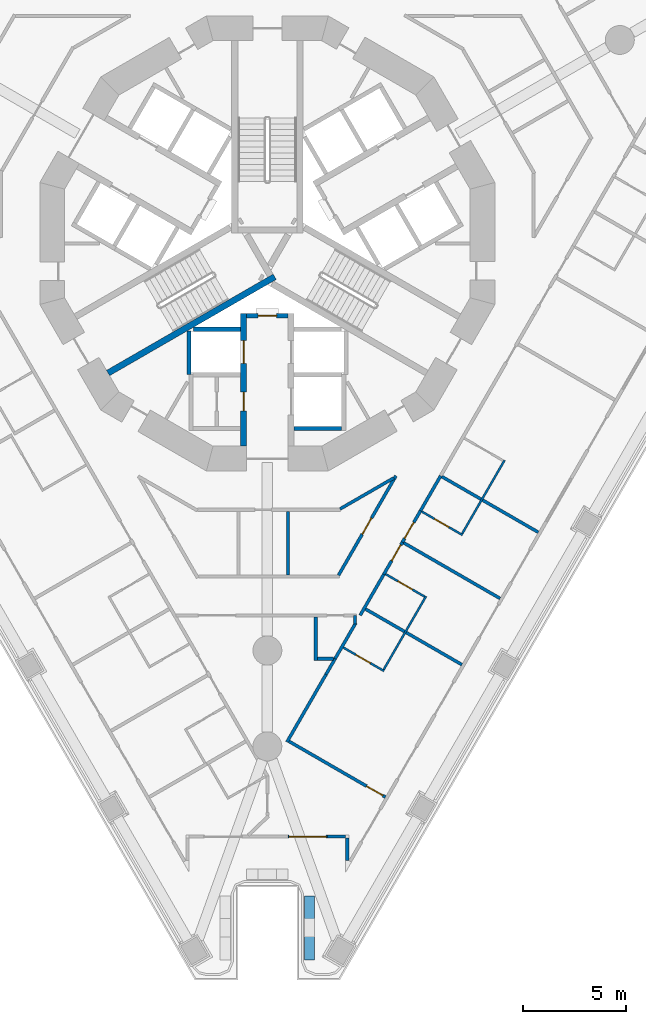
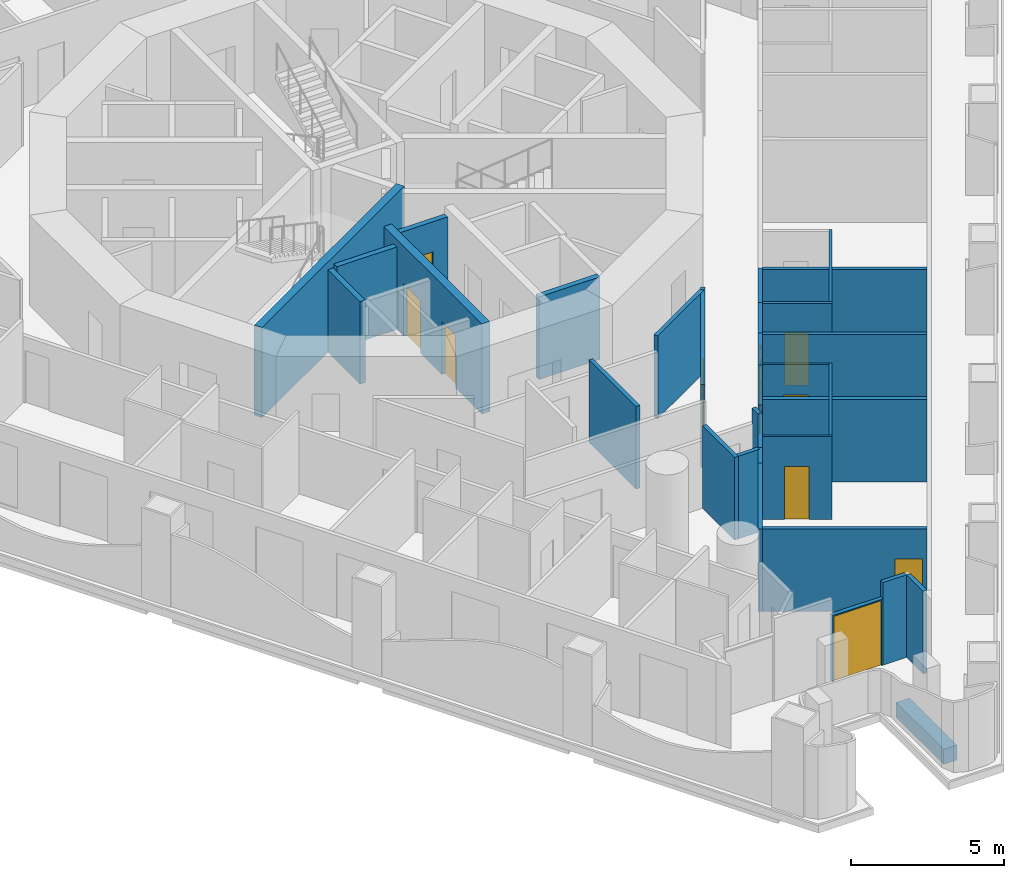
# One storey, part 4 of 20: 32 walls, 11 doors, 11 openings.
"""IFC4 building model written with IfcOpenShell, lengths in metres."""

from ifc_helpers import new_model, si_unit, direction, frame, frame_2d, origin, place, context, subcontext, project, spatial, polyline, rectangle, outline, extrude, material, layer, layer_set, type_object, element, fill, save


model = new_model("IFC4")

# Units and contexts
model_context = context("Model", 3, precision=1e-05, world=origin(), true_north=direction((0.0, 1.0)))
body_context = subcontext(model_context, "Body", "Model", "MODEL_VIEW")
ifc_project = project(units=[si_unit("LENGTHUNIT", "METRE"), si_unit("AREAUNIT", "SQUARE_METRE"), si_unit("VOLUMEUNIT", "CUBIC_METRE"), si_unit("PLANEANGLEUNIT", "RADIAN"), si_unit("MASSUNIT", "GRAM", prefix="KILO")], contexts=[model_context])

# Site, building, storey
site_placement = place(None, origin())
site = spatial("IfcSite", under=ifc_project, at=site_placement, CompositionType="ELEMENT")
building_placement = place(site_placement, origin())
building = spatial("IfcBuilding", under=site, at=building_placement, Name="Trine Commons Tower", CompositionType="ELEMENT")
storey_placement = place(building_placement, frame((0.0, 0.0, 35.10009765625)))
storey = spatial("IfcBuildingStorey", under=building, at=storey_placement, Name="L07", CompositionType="ELEMENT", Elevation=35.10009765625)

# Walls
ifc_material_1 = material(Name="Aluminium-framed insulated wall panel", Category="aluminium")
ifc_layer_1 = layer(ifc_material_1, 0.14990234375)
ifc_layer_set_1 = layer_set([ifc_layer_1], Name="Aluminium-framed insulated wall panel")
wall_type_1 = type_object("IfcWallType", Name="Glazed frame wall 150, EI 60", PredefinedType="SOLIDWALL", material=ifc_layer_set_1)
wall_1_placement = place(storey_placement, frame((83.864990234375, 32.48583984375, 0.0), z_axis=(0.0, 0.0, 1.0), x_axis=(0.0, 1.0, 0.0)))
element("IfcWall", 1, at=wall_1_placement, inside=storey, type_object=wall_type_1, Name="Glazed frame wall R9", PredefinedType="SOLIDWALL", context=body_context, shape_type="SweptSolid", body=[
    extrude(outline(polyline([(0.1494140625, 0.074951171875), (0.1494140625, -0.074951171875), (1.235107421875, -0.074951171875), (1.235107421875, 0.074951171875), (0.1494140625, 0.074951171875)])), origin(), (0.0, 0.0, 1.0), 3.2998046875),
])
wall_2_placement = place(storey_placement, frame((83.89990234375, 33.7958984375, 0.0), z_axis=(0.0, 0.0, 1.0), x_axis=(-1.0, 0.0, 0.0)))
element("IfcWall", 2, at=wall_2_placement, inside=storey, type_object=wall_type_1, Name="Glazed frame wall P3.1", PredefinedType="SOLIDWALL", context=body_context, shape_type="SweptSolid", body=[
    extrude(outline(polyline([(0.110107421875, -0.074951171875), (1.0, -0.074951171875), (1.0, 0.074951171875), (0.110107421875, 0.074951171875), (0.110107421875, -0.074951171875)])), origin(), (0.0, 0.0, 1.0), 3.2998046875),
])

# Wall, opening, door
wall_3_placement = place(storey_placement, frame((82.89990234375, 33.7958984375, 0.0), z_axis=(0.0, 0.0, 1.0), x_axis=(-1.0, 0.0, 0.0)))
wall_3 = element("IfcWall", 3, at=wall_3_placement, inside=storey, type_object=wall_type_1, Name="Glazed frame wall P3.2", PredefinedType="SOLIDWALL", context=body_context, shape_type="SweptSolid", body=[
    extrude(outline(polyline([(0.0, -0.074951171875), (1.89990234375, -0.074951171875), (1.89990234375, 0.074951171875), (0.0, 0.074951171875), (0.0, -0.074951171875)])), origin(), (0.0, 0.0, 1.0), 2.64990234375),
])
opening_1_placement = place(wall_3_placement, frame((0.050048828125, 0.0, 0.0)))
opening_1 = element("IfcOpeningElement", 4, at=opening_1_placement, cuts=wall_3, Name="Opening BD-1P3-01", PredefinedType="OPENING", context=body_context, shape_type="SweptSolid", body=[
    extrude(rectangle(XDim=1.800048828125, YDim=2.60009765625, at=frame_2d((0.89990234375, 1.300048828125))), frame((0.0, 0.0849609375, 0.0), z_axis=(0.0, -1.0, 0.0), x_axis=(1.0, 0.0, 0.0)), (0.0, 0.0, 1.0), 0.169921875),
])
ifc_material_2 = material(Name="Anodised aluminium frame with double glazing", Category="aluminium")
door_type_1 = type_object("IfcDoorType", Name="Sliding loggia door 1800x2600", OperationType="SLIDING_TO_LEFT", PredefinedType="DOOR", material=ifc_material_2)
door_1_placement = place(opening_1_placement, origin())
door_1 = element("IfcDoor", 5, at=door_1_placement, inside=storey, type_object=door_type_1, Name="Loggia door P3 1", OperationType="SLIDING_TO_LEFT", OverallHeight=2.60009765625, OverallWidth=1.800048828125, PredefinedType="DOOR", context=body_context, shape_type="SweptSolid", body=[
    extrude(rectangle(XDim=1.800048828125, YDim=2.60009765625, at=frame_2d((0.89990234375, 1.300048828125))), frame((0.0, 0.02490234375, 0.0), z_axis=(0.0, -1.0, 0.0), x_axis=(1.0, 0.0, 0.0)), (0.0, 0.0, 1.0), 0.050048828125),
])
fill(opening_1, door_1)

ifc_material_3 = material(Name="Fire-rated gypsum shaft wall system")
ifc_layer_2 = layer(ifc_material_3, 0.199951171875)
ifc_layer_set_2 = layer_set([ifc_layer_2], Name="Fire-rated gypsum shaft wall system")
wall_type_2 = type_object("IfcWallType", Name="Lobby end wall 200 mm, EI 120", PredefinedType="PARTITIONING", material=ifc_layer_set_2)
wall_4_placement = place(storey_placement, frame((79.0, 59.0, 0.0), z_axis=(0.0, 0.0, 1.0), x_axis=(1.0, 0.0, 0.0)))
wall_4 = element("IfcWall", 6, at=wall_4_placement, inside=storey, type_object=wall_type_2, Name="Lobby end wall L07", PredefinedType="PARTITIONING", context=body_context, shape_type="SweptSolid", body=[
    extrude(rectangle(XDim=2.0, YDim=0.199951171875, at=frame_2d((1.0, 0.0))), origin(), (0.0, 0.0, 1.0), 3.2998046875),
])
opening_2_placement = place(wall_4_placement, frame((0.550048828125, 0.0, 0.0)))
opening_2 = element("IfcOpeningElement", 7, at=opening_2_placement, cuts=wall_4, Name="Opening K06.09", PredefinedType="OPENING", context=body_context, shape_type="SweptSolid", body=[
    extrude(rectangle(XDim=0.89990234375, YDim=2.10009765625, at=frame_2d((0.449951171875, 1.050048828125))), frame((0.0, 0.10986328125, 0.0), z_axis=(0.0, -1.0, 0.0), x_axis=(1.0, 0.0, 0.0)), (0.0, 0.0, 1.0), 0.219970703125),
])
ifc_material_4 = material(Name="Steel door leaf, fire-rated", Category="steel")
door_type_2 = type_object("IfcDoorType", Name="Riser access door, single leaf 900 x 2100, FD60", OperationType="SINGLE_SWING_LEFT", PredefinedType="DOOR", material=ifc_material_4)
door_2_placement = place(opening_2_placement, frame((0.89990234375, 0.0, 0.0), z_axis=(0.0, 0.0, 1.0), x_axis=(-1.0, 0.0, 0.0)))
door_2 = element("IfcDoor", 8, at=door_2_placement, inside=storey, type_object=door_type_2, Name="Riser door, Communications riser L07", OperationType="SINGLE_SWING_RIGHT", OverallHeight=2.10009765625, OverallWidth=0.89990234375, PredefinedType="DOOR", context=body_context, shape_type="SweptSolid", body=[
    extrude(rectangle(XDim=0.89990234375, YDim=2.10009765625, at=frame_2d((0.449951171875, 1.050048828125))), frame((0.0, 0.02490234375, 0.0), z_axis=(0.0, -1.0, 0.0), x_axis=(1.0, 0.0, 0.0)), (0.0, 0.0, 1.0), 0.050048828125),
])
fill(opening_2, door_2)

# Wall
ifc_material_5 = material(Name="Planter trough, precast concrete C40/50", Category="concrete")
ifc_layer_3 = layer(ifc_material_5, 0.5)
ifc_layer_set_3 = layer_set([ifc_layer_3], Name="Planter trough, precast concrete C40/50")
wall_type_3 = type_object("IfcWallType", Name="Planter trough 500x600", PredefinedType="PARAPET", material=ifc_layer_set_3)
wall_5_placement = place(storey_placement, frame((82.0400390625, 27.830810546875, 0.0), z_axis=(0.0, 0.0, 1.0), x_axis=(0.0, 1.0, 0.0)))
element("IfcWall", 9, at=wall_5_placement, inside=storey, type_object=wall_type_3, Name="Planter 7", PredefinedType="PARAPET", context=body_context, shape_type="SweptSolid", body=[
    extrude(rectangle(XDim=3.10009765625, YDim=0.5, at=frame_2d((1.550048828125, 0.0))), origin(), (0.0, 0.0, 1.0), 0.599853515625),
])

# Wall, openings, doors
ifc_material_6 = material(Name="Concrete C80/95", Category="concrete")
ifc_layer_4 = layer(ifc_material_6, 0.300048828125)
ifc_layer_set_4 = layer_set([ifc_layer_4], Name="Concrete C80/95")
wall_type_4 = type_object("IfcWallType", Name="RC shear wall 300 mm, C80/95", PredefinedType="SHEAR", material=ifc_layer_set_4)
wall_6_placement = place(storey_placement, frame((78.85009765625, 59.10009765625, 0.0), z_axis=(0.0, 0.0, 1.0), x_axis=(0.0, -1.0, 0.0)))
wall_6 = element("IfcWall", 10, at=wall_6_placement, inside=storey, type_object=wall_type_4, Name="Core cross wall SWA-03 L07", PredefinedType="SHEAR", context=body_context, shape_type="SweptSolid", body=[
    extrude(rectangle(XDim=6.412109375, YDim=0.300048828125, at=frame_2d((3.2060546875, 0.0))), origin(), (0.0, 0.0, 1.0), 3.599853515625),
])
opening_3_placement = place(wall_6_placement, frame((3.800048828125, 0.0, 0.0)))
opening_3 = element("IfcOpeningElement", 11, at=opening_3_placement, cuts=wall_6, Name="Opening K06.10", PredefinedType="OPENING", context=body_context, shape_type="SweptSolid", body=[
    extrude(rectangle(XDim=0.89990234375, YDim=2.10009765625, at=frame_2d((0.449951171875, 1.050048828125))), frame((0.0, 0.159912109375, 0.0), z_axis=(0.0, -1.0, 0.0), x_axis=(1.0, 0.0, 0.0)), (0.0, 0.0, 1.0), 0.320068359375),
])
opening_4_placement = place(wall_6_placement, frame((1.300048828125, 0.0, 0.0)))
opening_4 = element("IfcOpeningElement", 12, at=opening_4_placement, cuts=wall_6, Name="Opening LD10", PredefinedType="OPENING", context=body_context, shape_type="SweptSolid", body=[
    extrude(rectangle(XDim=1.10009765625, YDim=2.10009765625, at=frame_2d((0.550048828125, 1.050048828125))), frame((0.0, 0.159912109375, 0.0), z_axis=(0.0, -1.0, 0.0), x_axis=(1.0, 0.0, 0.0)), (0.0, 0.0, 1.0), 0.320068359375),
])
door_type_3 = type_object("IfcDoorType", Name="Core room door, single leaf 900 x 2100, FD30S", OperationType="SINGLE_SWING_LEFT", PredefinedType="DOOR", material=ifc_material_4)
door_3_placement = place(opening_3_placement, frame((0.89990234375, 0.0, 0.0), z_axis=(0.0, 0.0, 1.0), x_axis=(-1.0, 0.0, 0.0)))
door_3 = element("IfcDoor", 13, at=door_3_placement, inside=storey, type_object=door_type_3, Name="Door to Pantry L07", OperationType="SINGLE_SWING_RIGHT", OverallHeight=2.10009765625, OverallWidth=0.89990234375, PredefinedType="DOOR", context=body_context, shape_type="SweptSolid", body=[
    extrude(rectangle(XDim=0.89990234375, YDim=2.10009765625, at=frame_2d((0.449951171875, 1.050048828125))), frame((0.0, 0.02490234375, 0.0), z_axis=(0.0, -1.0, 0.0), x_axis=(1.0, 0.0, 0.0)), (0.0, 0.0, 1.0), 0.050048828125),
])
fill(opening_3, door_3)
ifc_material_7 = material(Name="Stainless steel sliding door leaves", Category="steel")
door_type_4 = type_object("IfcDoorType", Name="Lift landing door, centre-opening sliding 1100 x 2100, FD90", OperationType="DOUBLE_DOOR_SLIDING", PredefinedType="DOOR", material=ifc_material_7)
door_4_placement = place(opening_4_placement, origin())
door_4 = element("IfcDoor", 14, at=door_4_placement, inside=storey, type_object=door_type_4, Name="Lift landing door FF2 L07", OperationType="DOUBLE_DOOR_SLIDING", OverallHeight=2.10009765625, OverallWidth=1.10009765625, PredefinedType="DOOR", context=body_context, shape_type="SweptSolid", body=[
    extrude(rectangle(XDim=1.10009765625, YDim=2.10009765625, at=frame_2d((0.550048828125, 1.050048828125))), frame((0.0, 0.02490234375, 0.0), z_axis=(0.0, -1.0, 0.0), x_axis=(1.0, 0.0, 0.0)), (0.0, 0.0, 1.0), 0.050048828125),
])
fill(opening_4, door_4)

# Walls
wall_7_placement = place(storey_placement, frame((80.35400390625, 60.885986328125, 0.0), z_axis=(0.0, 0.0, 1.0), x_axis=(-0.865986456211, -0.50006745311, 0.0)))
element("IfcWall", 15, at=wall_7_placement, inside=storey, type_object=wall_type_4, Name="Core cross wall SWA-14 L07", PredefinedType="SHEAR", context=body_context, shape_type="SweptSolid", body=[
    extrude(rectangle(XDim=9.310791015625, YDim=0.300048828125, at=frame_2d((4.6552734375, 0.0))), origin(), (0.0, 0.0, 1.0), 3.599853515625),
])
ifc_layer_5 = layer(ifc_material_3, 0.199951171875)
ifc_layer_set_5 = layer_set([ifc_layer_5], Name="Fire-rated gypsum shaft wall system")
wall_type_5 = type_object("IfcWallType", Name="Shaft wall 200 mm, EI 120", PredefinedType="PARTITIONING", material=ifc_layer_set_5)
wall_8_placement = place(storey_placement, frame((76.199951171875, 58.256103515625, 0.0), z_axis=(0.0, 0.0, 1.0), x_axis=(0.0, -1.0, 0.0)))
element("IfcWall", 16, at=wall_8_placement, inside=storey, type_object=wall_type_5, Name="Shaft wall L07", PredefinedType="PARTITIONING", context=body_context, shape_type="SweptSolid", body=[
    extrude(rectangle(XDim=2.106201171875, YDim=0.199951171875, at=frame_2d((1.05322265625, 0.0))), origin(), (0.0, 0.0, 1.0), 3.2998046875),
])
wall_9_placement = place(storey_placement, frame((78.699951171875, 58.35009765625, 0.0), z_axis=(0.0, 0.0, 1.0), x_axis=(-1.0, 0.0, 0.0)))
element("IfcWall", 17, at=wall_9_placement, inside=storey, type_object=wall_type_5, Name="Shaft wall L07", PredefinedType="PARTITIONING", context=body_context, shape_type="SweptSolid", body=[
    extrude(rectangle(XDim=2.264892578125, YDim=0.199951171875, at=frame_2d((1.13232421875, 0.0))), origin(), (0.0, 0.0, 1.0), 3.2998046875),
])
wall_10_placement = place(storey_placement, frame((81.300048828125, 53.550048828125, 0.0), z_axis=(0.0, 0.0, 1.0), x_axis=(1.0, 0.0, 0.0)))
element("IfcWall", 18, at=wall_10_placement, inside=storey, type_object=wall_type_5, Name="Shaft wall L07", PredefinedType="PARTITIONING", context=body_context, shape_type="SweptSolid", body=[
    extrude(rectangle(XDim=2.300048828125, YDim=0.199951171875, at=frame_2d((1.14990234375, 0.0))), origin(), (0.0, 0.0, 1.0), 3.2998046875),
])
ifc_material_8 = material(Name="Gypsum plasterboard on steel stud", Category="steel")
ifc_layer_6 = layer(ifc_material_8, 0.14990234375)
ifc_layer_set_6 = layer_set([ifc_layer_6], Name="Gypsum plasterboard on steel stud")
wall_type_6 = type_object("IfcWallType", Name="Unit and corridor wall 150 mm, EI 60", PredefinedType="PARTITIONING", material=ifc_layer_set_6)
wall_11_placement = place(storey_placement, frame((80.950439453125, 38.3740234375, 0.0), z_axis=(0.0, 0.0, 1.0), x_axis=(0.500125622755, 0.865952863304, 0.0)))
element("IfcWall", 19, at=wall_11_placement, inside=storey, type_object=wall_type_6, Name="Partition 070", PredefinedType="PARTITIONING", context=body_context, shape_type="SweptSolid", body=[
    extrude(rectangle(XDim=3.77392578125, YDim=0.14990234375, at=frame_2d((1.886962890625, 0.0))), origin(), (0.0, 0.0, 1.0), 3.2998046875),
])

# Wall, opening, door
wall_12_placement = place(storey_placement, frame((81.052978515625, 38.401611328125, 0.0), z_axis=(0.0, 0.0, 1.0), x_axis=(0.866038326347, -0.499977616797, 0.0)))
wall_12 = element("IfcWall", 20, at=wall_12_placement, inside=storey, type_object=wall_type_6, Name="Partition 071", PredefinedType="PARTITIONING", context=body_context, shape_type="SweptSolid", body=[
    extrude(rectangle(XDim=5.383544921875, YDim=0.14990234375, at=frame_2d((2.69189453125, 0.0))), origin(), (0.0, 0.0, 1.0), 3.2998046875),
])
opening_5_placement = place(wall_12_placement, frame((4.33349609375, 0.0, 0.0)))
opening_5 = element("IfcOpeningElement", 21, at=opening_5_placement, cuts=wall_12, Name="Opening D-1A23", PredefinedType="OPENING", context=body_context, shape_type="SweptSolid", body=[
    extrude(rectangle(XDim=0.89990234375, YDim=2.10009765625, at=frame_2d((0.449951171875, 1.050048828125))), frame((0.0, 0.0849609375, 0.0), z_axis=(0.0, -1.0, 0.0), x_axis=(1.0, 0.0, 0.0)), (0.0, 0.0, 1.0), 0.169921875),
])
ifc_material_9 = material(Name="Timber fire door set", Category="wood")
door_type_5 = type_object("IfcDoorType", Name="Bedroom door 900 x 2100, FD30S", OperationType="NOTDEFINED", PredefinedType="DOOR", material=ifc_material_9)
door_5_placement = place(opening_5_placement, origin())
door_5 = element("IfcDoor", 22, at=door_5_placement, inside=storey, type_object=door_type_5, Name="Door D-1A23", OperationType="SINGLE_SWING_RIGHT", OverallHeight=2.10009765625, OverallWidth=0.89990234375, PredefinedType="DOOR", context=body_context, shape_type="SweptSolid", body=[
    extrude(rectangle(XDim=0.89990234375, YDim=2.10009765625, at=frame_2d((0.449951171875, 1.050048828125))), frame((0.0, 0.02490234375, 0.0), z_axis=(0.0, -1.0, 0.0), x_axis=(1.0, 0.0, 0.0)), (0.0, 0.0, 1.0), 0.050048828125),
])
fill(opening_5, door_5)

# Walls
wall_13_placement = place(storey_placement, frame((81.0, 46.452880859375, 0.0), z_axis=(0.0, 0.0, 1.0), x_axis=(0.0, 1.0, 0.0)))
element("IfcWall", 23, at=wall_13_placement, inside=storey, type_object=wall_type_6, Name="Partition 072", PredefinedType="PARTITIONING", context=body_context, shape_type="SweptSolid", body=[
    extrude(rectangle(XDim=3.085205078125, YDim=0.14990234375, at=frame_2d((1.54248046875, 0.0))), origin(), (0.0, 0.0, 1.0), 3.2998046875),
])
wall_14_placement = place(storey_placement, frame((82.340087890625, 42.327880859375, 0.0), z_axis=(0.0, 0.0, 1.0), x_axis=(0.0, 1.0, 0.0)))
element("IfcWall", 24, at=wall_14_placement, inside=storey, type_object=wall_type_6, Name="Partition 075", PredefinedType="PARTITIONING", context=body_context, shape_type="SweptSolid", body=[
    extrude(rectangle(XDim=2.10009765625, YDim=0.14990234375, at=frame_2d((1.050048828125, 0.0))), origin(), (0.0, 0.0, 1.0), 3.2998046875),
])
wall_15_placement = place(storey_placement, frame((82.4150390625, 42.403076171875, 0.0), z_axis=(0.0, 0.0, 1.0), x_axis=(1.0, 0.0, 0.0)))
element("IfcWall", 25, at=wall_15_placement, inside=storey, type_object=wall_type_6, Name="Partition 076", PredefinedType="PARTITIONING", context=body_context, shape_type="SweptSolid", body=[
    extrude(rectangle(XDim=0.786865234375, YDim=0.14990234375, at=frame_2d((0.3935546875, 0.0))), origin(), (0.0, 0.0, 1.0), 3.2998046875),
])
wall_16_placement = place(storey_placement, frame((82.837890625, 41.64208984375, 0.0), z_axis=(0.0, 0.0, 1.0), x_axis=(0.499874792173, 0.86609768049, 0.0)))
element("IfcWall", 26, at=wall_16_placement, inside=storey, type_object=wall_type_6, Name="Partition 077", PredefinedType="PARTITIONING", context=body_context, shape_type="SweptSolid", body=[
    extrude(rectangle(XDim=0.878662109375, YDim=0.14990234375, at=frame_2d((0.439453125, 0.0))), origin(), (0.0, 0.0, 1.0), 3.2998046875),
])
wall_17_placement = place(storey_placement, frame((83.277099609375, 42.403076171875, 0.0), z_axis=(0.0, 0.0, 1.0), x_axis=(0.500208453646, 0.865905019561, 0.0)))
element("IfcWall", 27, at=wall_17_placement, inside=storey, type_object=wall_type_6, Name="Partition 078", PredefinedType="PARTITIONING", context=body_context, shape_type="SweptSolid", body=[
    extrude(rectangle(XDim=2.000244140625, YDim=0.14990234375, at=frame_2d((1.0, 0.0))), origin(), (0.0, 0.0, 1.0), 3.2998046875),
])

# Wall, opening, door
wall_18_placement = place(storey_placement, frame((83.444580078125, 46.443115234375, 0.0), z_axis=(0.0, 0.0, 1.0), x_axis=(0.500003847982, 0.86602318214, 0.0)))
wall_18 = element("IfcWall", 28, at=wall_18_placement, inside=storey, type_object=wall_type_6, Name="Partition 079", PredefinedType="PARTITIONING", context=body_context, shape_type="SweptSolid", body=[
    extrude(rectangle(XDim=5.5576171875, YDim=0.14990234375, at=frame_2d((2.77880859375, 0.0))), origin(), (0.0, 0.0, 1.0), 3.2998046875),
])
opening_6_placement = place(wall_18_placement, frame((2.29150390625, 0.0, 0.0)))
opening_6 = element("IfcOpeningElement", 29, at=opening_6_placement, cuts=wall_18, Name="Opening D-1A35", PredefinedType="OPENING", context=body_context, shape_type="SweptSolid", body=[
    extrude(rectangle(XDim=0.89990234375, YDim=2.10009765625, at=frame_2d((0.449951171875, 1.050048828125))), frame((0.0, 0.0849609375, 0.0), z_axis=(0.0, -1.0, 0.0), x_axis=(1.0, 0.0, 0.0)), (0.0, 0.0, 1.0), 0.169921875),
])
door_type_6 = type_object("IfcDoorType", Name="Service door 900 x 2100, FD30S", OperationType="NOTDEFINED", PredefinedType="DOOR", material=ifc_material_9)
door_6_placement = place(opening_6_placement, origin())
door_6 = element("IfcDoor", 30, at=door_6_placement, inside=storey, type_object=door_type_6, Name="Door D-1A35", OperationType="SINGLE_SWING_LEFT", OverallHeight=2.10009765625, OverallWidth=0.89990234375, PredefinedType="DOOR", context=body_context, shape_type="SweptSolid", body=[
    extrude(rectangle(XDim=0.89990234375, YDim=2.10009765625, at=frame_2d((0.449951171875, 1.050048828125))), frame((0.0, 0.02490234375, 0.0), z_axis=(0.0, -1.0, 0.0), x_axis=(1.0, 0.0, 0.0)), (0.0, 0.0, 1.0), 0.050048828125),
])
fill(opening_6, door_6)

# Walls
wall_19_placement = place(storey_placement, frame((83.517822265625, 49.650390625, 0.0), z_axis=(0.0, 0.0, 1.0), x_axis=(0.865962665808, 0.500108649621, 0.0)))
element("IfcWall", 31, at=wall_19_placement, inside=storey, type_object=wall_type_6, Name="Partition 080", PredefinedType="PARTITIONING", context=body_context, shape_type="SweptSolid", body=[
    extrude(rectangle(XDim=3.009521484375, YDim=0.14990234375, at=frame_2d((1.5048828125, 0.0))), origin(), (0.0, 0.0, 1.0), 3.2998046875),
])
wall_20_placement = place(storey_placement, frame((84.239990234375, 44.08642578125, 0.0), z_axis=(0.0, 0.0, 1.0), x_axis=(0.0, 1.0, 0.0)))
element("IfcWall", 32, at=wall_20_placement, inside=storey, type_object=wall_type_6, Name="Partition 083", PredefinedType="PARTITIONING", context=body_context, shape_type="SweptSolid", body=[
    extrude(rectangle(XDim=0.400146484375, YDim=0.14990234375, at=frame_2d((0.2001953125, 0.0))), origin(), (0.0, 0.0, 1.0), 3.2998046875),
])
wall_21_placement = place(storey_placement, frame((84.489990234375, 44.5029296875, 0.0), z_axis=(0.0, 0.0, 1.0), x_axis=(0.499884423167, 0.866092121818, 0.0)))
element("IfcWall", 33, at=wall_21_placement, inside=storey, type_object=wall_type_6, Name="Partition 084", PredefinedType="PARTITIONING", context=body_context, shape_type="SweptSolid", body=[
    extrude(rectangle(XDim=2.3486328125, YDim=0.14990234375, at=frame_2d((1.17431640625, 0.0))), origin(), (0.0, 0.0, 1.0), 3.2998046875),
])
wall_22_placement = place(storey_placement, frame((84.751953125, 44.8076171875, 0.0), z_axis=(0.0, 0.0, 1.0), x_axis=(0.866038326347, -0.499977616797, 0.0)))
element("IfcWall", 34, at=wall_22_placement, inside=storey, type_object=wall_type_6, Name="Partition 085", PredefinedType="PARTITIONING", context=body_context, shape_type="SweptSolid", body=[
    extrude(rectangle(XDim=5.383544921875, YDim=0.14990234375, at=frame_2d((2.69189453125, 0.0))), origin(), (0.0, 0.0, 1.0), 3.2998046875),
])

# Wall, opening, door
wall_23_placement = place(storey_placement, frame((85.635986328125, 46.48779296875, 0.0), z_axis=(0.0, 0.0, 1.0), x_axis=(0.4999359155, 0.866062399826, 0.0)))
wall_23 = element("IfcWall", 35, at=wall_23_placement, inside=storey, type_object=wall_type_6, Name="Partition 088", PredefinedType="PARTITIONING", context=body_context, shape_type="SweptSolid", body=[
    extrude(rectangle(XDim=1.881103515625, YDim=0.14990234375, at=frame_2d((0.9404296875, 0.0))), origin(), (0.0, 0.0, 1.0), 3.2998046875),
])
opening_7_placement = place(wall_23_placement, frame((0.752685546875, 0.0, 0.0)))
opening_7 = element("IfcOpeningElement", 36, at=opening_7_placement, cuts=wall_23, Name="Opening D-1A22", PredefinedType="OPENING", context=body_context, shape_type="SweptSolid", body=[
    extrude(rectangle(XDim=0.89990234375, YDim=2.10009765625, at=frame_2d((0.449951171875, 1.050048828125))), frame((0.0, 0.0849609375, 0.0), z_axis=(0.0, -1.0, 0.0), x_axis=(1.0, 0.0, 0.0)), (0.0, 0.0, 1.0), 0.169921875),
])
door_7_placement = place(opening_7_placement, frame((0.89990234375, 0.0, 0.0), z_axis=(0.0, 0.0, 1.0), x_axis=(-1.0, 0.0, 0.0)))
door_7 = element("IfcDoor", 37, at=door_7_placement, inside=storey, type_object=door_type_5, Name="Door D-1A22", OperationType="SINGLE_SWING_LEFT", OverallHeight=2.10009765625, OverallWidth=0.89990234375, PredefinedType="DOOR", context=body_context, shape_type="SweptSolid", body=[
    extrude(rectangle(XDim=0.89990234375, YDim=2.10009765625, at=frame_2d((0.449951171875, 1.050048828125))), frame((0.0, 0.02490234375, 0.0), z_axis=(0.0, -1.0, 0.0), x_axis=(1.0, 0.0, 0.0)), (0.0, 0.0, 1.0), 0.050048828125),
])
fill(opening_7, door_7)

wall_24_placement = place(storey_placement, frame((86.534912109375, 48.0458984375, 0.0), z_axis=(0.0, 0.0, 1.0), x_axis=(0.500252110048, 0.865879799044, 0.0)))
wall_24 = element("IfcWall", 38, at=wall_24_placement, inside=storey, type_object=wall_type_6, Name="Partition 090", PredefinedType="PARTITIONING", context=body_context, shape_type="SweptSolid", body=[
    extrude(rectangle(XDim=1.75537109375, YDim=0.14990234375, at=frame_2d((0.877685546875, 0.0))), origin(), (0.0, 0.0, 1.0), 3.2998046875),
])
opening_8_placement = place(wall_24_placement, frame((0.20849609375, 0.0, 0.0)))
opening_8 = element("IfcOpeningElement", 39, at=opening_8_placement, cuts=wall_24, Name="Opening D-1A21", PredefinedType="OPENING", context=body_context, shape_type="SweptSolid", body=[
    extrude(rectangle(XDim=0.89990234375, YDim=2.10009765625, at=frame_2d((0.449951171875, 1.050048828125))), frame((0.0, 0.0849609375, 0.0), z_axis=(0.0, -1.0, 0.0), x_axis=(1.0, 0.0, 0.0)), (0.0, 0.0, 1.0), 0.169921875),
])
door_8_placement = place(opening_8_placement, frame((0.89990234375, 0.0, 0.0), z_axis=(0.0, 0.0, 1.0), x_axis=(-1.0, 0.0, 0.0)))
door_8 = element("IfcDoor", 40, at=door_8_placement, inside=storey, type_object=door_type_5, Name="Door D-1A21", OperationType="SINGLE_SWING_RIGHT", OverallHeight=2.10009765625, OverallWidth=0.89990234375, PredefinedType="DOOR", context=body_context, shape_type="SweptSolid", body=[
    extrude(rectangle(XDim=0.89990234375, YDim=2.10009765625, at=frame_2d((0.449951171875, 1.050048828125))), frame((0.0, 0.02490234375, 0.0), z_axis=(0.0, -1.0, 0.0), x_axis=(1.0, 0.0, 0.0)), (0.0, 0.0, 1.0), 0.050048828125),
])
fill(opening_8, door_8)

# Walls
wall_25_placement = place(storey_placement, frame((86.60205078125, 48.011474609375, 0.0), z_axis=(0.0, 0.0, 1.0), x_axis=(0.866012611495, -0.500022156241, 0.0)))
element("IfcWall", 41, at=wall_25_placement, inside=storey, type_object=wall_type_6, Name="Partition 091", PredefinedType="PARTITIONING", context=body_context, shape_type="SweptSolid", body=[
    extrude(rectangle(XDim=5.382568359375, YDim=0.14990234375, at=frame_2d((2.69140625, 0.0))), origin(), (0.0, 0.0, 1.0), 3.2998046875),
])
wall_26_placement = place(storey_placement, frame((87.385009765625, 49.5166015625, 0.0), z_axis=(0.0, 0.0, 1.0), x_axis=(0.499750537383, 0.866169383196, 0.0)))
element("IfcWall", 42, at=wall_26_placement, inside=storey, type_object=wall_type_6, Name="Partition 094", PredefinedType="PARTITIONING", context=body_context, shape_type="SweptSolid", body=[
    extrude(rectangle(XDim=2.0068359375, YDim=0.14990234375, at=frame_2d((1.00341796875, 0.0))), origin(), (0.0, 0.0, 1.0), 3.2998046875),
])
wall_27_placement = place(storey_placement, frame((88.450927734375, 51.214599609375, 0.0), z_axis=(0.0, 0.0, 1.0), x_axis=(0.865992970276, -0.500056172277, 0.0)))
element("IfcWall", 43, at=wall_27_placement, inside=storey, type_object=wall_type_6, Name="Partition 097", PredefinedType="PARTITIONING", context=body_context, shape_type="SweptSolid", body=[
    extrude(rectangle(XDim=5.3828125, YDim=0.14990234375, at=frame_2d((2.69140625, 0.0))), origin(), (0.0, 0.0, 1.0), 3.2998046875),
])

# Wall, opening, door
ifc_layer_7 = layer(ifc_material_8, 0.10009765625)
ifc_layer_set_7 = layer_set([ifc_layer_7], Name="Gypsum plasterboard on steel stud")
wall_type_7 = type_object("IfcWallType", Name="Unit partition 100 mm, no rating", PredefinedType="PARTITIONING", material=ifc_layer_set_7)
wall_28_placement = place(storey_placement, frame((83.677001953125, 42.945556640625, 0.0), z_axis=(0.0, 0.0, 1.0), x_axis=(0.866035472144, -0.499982560684, 0.0)))
wall_28 = element("IfcWall", 44, at=wall_28_placement, inside=storey, type_object=wall_type_7, Name="Partition 081", PredefinedType="PARTITIONING", context=body_context, shape_type="SweptSolid", body=[
    extrude(rectangle(XDim=2.27490234375, YDim=0.10009765625, at=frame_2d((1.137451171875, 0.0))), origin(), (0.0, 0.0, 1.0), 3.2998046875),
])
opening_9_placement = place(wall_28_placement, frame((0.712646484375, 0.0, 0.0)))
opening_9 = element("IfcOpeningElement", 45, at=opening_9_placement, cuts=wall_28, Name="Opening D-1A55", PredefinedType="OPENING", context=body_context, shape_type="SweptSolid", body=[
    extrude(rectangle(XDim=0.800048828125, YDim=2.10009765625, at=frame_2d((0.39990234375, 1.050048828125))), frame((0.0, 0.06005859375, 0.0), z_axis=(0.0, -1.0, 0.0), x_axis=(1.0, 0.0, 0.0)), (0.0, 0.0, 1.0), 0.1201171875),
])
ifc_material_10 = material(Name="Painted timber", Category="wood")
door_type_7 = type_object("IfcDoorType", Name="Internal door 800 x 2100, NOT RATED", OperationType="NOTDEFINED", PredefinedType="DOOR", material=ifc_material_10)
door_9_placement = place(opening_9_placement, frame((0.800048828125, 0.0, 0.0), z_axis=(0.0, 0.0, 1.0), x_axis=(-1.0, 0.0, 0.0)))
door_9 = element("IfcDoor", 46, at=door_9_placement, inside=storey, type_object=door_type_7, Name="Door D-1A55", OperationType="SINGLE_SWING_RIGHT", OverallHeight=2.10009765625, OverallWidth=0.800048828125, PredefinedType="DOOR", context=body_context, shape_type="SweptSolid", body=[
    extrude(rectangle(XDim=0.800048828125, YDim=2.10009765625, at=frame_2d((0.39990234375, 1.050048828125))), frame((0.0, 0.02490234375, 0.0), z_axis=(0.0, -1.0, 0.0), x_axis=(1.0, 0.0, 0.0)), (0.0, 0.0, 1.0), 0.050048828125),
])
fill(opening_9, door_9)

# Wall
wall_29_placement = place(storey_placement, frame((85.62890625, 41.876220703125, 0.0), z_axis=(0.0, 0.0, 1.0), x_axis=(0.499975007054, 0.866039832988, 0.0)))
element("IfcWall", 47, at=wall_29_placement, inside=storey, type_object=wall_type_7, Name="Partition 087", PredefinedType="PARTITIONING", context=body_context, shape_type="SweptSolid", body=[
    extrude(rectangle(XDim=4.100341796875, YDim=0.10009765625, at=frame_2d((2.05029296875, 0.0))), origin(), (0.0, 0.0, 1.0), 3.2998046875),
])

# Wall, opening, door
wall_30_placement = place(storey_placement, frame((85.72705078125, 46.49658203125, 0.0), z_axis=(0.0, 0.0, 1.0), x_axis=(0.865989304205, -0.500062521093, 0.0)))
wall_30 = element("IfcWall", 48, at=wall_30_placement, inside=storey, type_object=wall_type_7, Name="Partition 089", PredefinedType="PARTITIONING", context=body_context, shape_type="SweptSolid", body=[
    extrude(rectangle(XDim=2.175048828125, YDim=0.10009765625, at=frame_2d((1.08740234375, 0.0))), origin(), (0.0, 0.0, 1.0), 3.2998046875),
])
opening_10_placement = place(wall_30_placement, frame((0.6875, 0.0, 0.0)))
opening_10 = element("IfcOpeningElement", 49, at=opening_10_placement, cuts=wall_30, Name="Opening D-1A54", PredefinedType="OPENING", context=body_context, shape_type="SweptSolid", body=[
    extrude(rectangle(XDim=0.800048828125, YDim=2.10009765625, at=frame_2d((0.39990234375, 1.050048828125))), frame((0.0, 0.06005859375, 0.0), z_axis=(0.0, -1.0, 0.0), x_axis=(1.0, 0.0, 0.0)), (0.0, 0.0, 1.0), 0.1201171875),
])
door_10_placement = place(opening_10_placement, origin())
door_10 = element("IfcDoor", 50, at=door_10_placement, inside=storey, type_object=door_type_7, Name="Door D-1A54", OperationType="SINGLE_SWING_LEFT", OverallHeight=2.10009765625, OverallWidth=0.800048828125, PredefinedType="DOOR", context=body_context, shape_type="SweptSolid", body=[
    extrude(rectangle(XDim=0.800048828125, YDim=2.10009765625, at=frame_2d((0.39990234375, 1.050048828125))), frame((0.0, 0.02490234375, 0.0), z_axis=(0.0, -1.0, 0.0), x_axis=(1.0, 0.0, 0.0)), (0.0, 0.0, 1.0), 0.050048828125),
])
fill(opening_10, door_10)

wall_31_placement = place(storey_placement, frame((87.47607421875, 49.525390625, 0.0), z_axis=(0.0, 0.0, 1.0), x_axis=(0.866035472144, -0.499982560684, 0.0)))
wall_31 = element("IfcWall", 51, at=wall_31_placement, inside=storey, type_object=wall_type_7, Name="Partition 095", PredefinedType="PARTITIONING", context=body_context, shape_type="SweptSolid", body=[
    extrude(rectangle(XDim=2.27490234375, YDim=0.10009765625, at=frame_2d((1.137451171875, 0.0))), origin(), (0.0, 0.0, 1.0), 3.2998046875),
])
opening_11_placement = place(wall_31_placement, frame((0.712646484375, 0.0, 0.0)))
opening_11 = element("IfcOpeningElement", 52, at=opening_11_placement, cuts=wall_31, Name="Opening D-1A53", PredefinedType="OPENING", context=body_context, shape_type="SweptSolid", body=[
    extrude(rectangle(XDim=0.800048828125, YDim=2.10009765625, at=frame_2d((0.39990234375, 1.050048828125))), frame((0.0, 0.06005859375, 0.0), z_axis=(0.0, -1.0, 0.0), x_axis=(1.0, 0.0, 0.0)), (0.0, 0.0, 1.0), 0.1201171875),
])
door_11_placement = place(opening_11_placement, frame((0.800048828125, 0.0, 0.0), z_axis=(0.0, 0.0, 1.0), x_axis=(-1.0, 0.0, 0.0)))
door_11 = element("IfcDoor", 53, at=door_11_placement, inside=storey, type_object=door_type_7, Name="Door D-1A53", OperationType="SINGLE_SWING_RIGHT", OverallHeight=2.10009765625, OverallWidth=0.800048828125, PredefinedType="DOOR", context=body_context, shape_type="SweptSolid", body=[
    extrude(rectangle(XDim=0.800048828125, YDim=2.10009765625, at=frame_2d((0.39990234375, 1.050048828125))), frame((0.0, 0.02490234375, 0.0), z_axis=(0.0, -1.0, 0.0), x_axis=(1.0, 0.0, 0.0)), (0.0, 0.0, 1.0), 0.050048828125),
])
fill(opening_11, door_11)

# Wall
wall_32_placement = place(storey_placement, frame((89.427978515625, 48.456298828125, 0.0), z_axis=(0.0, 0.0, 1.0), x_axis=(0.499975007054, 0.866039832988, 0.0)))
element("IfcWall", 54, at=wall_32_placement, inside=storey, type_object=wall_type_7, Name="Partition 098", PredefinedType="PARTITIONING", context=body_context, shape_type="SweptSolid", body=[
    extrude(rectangle(XDim=4.100341796875, YDim=0.10009765625, at=frame_2d((2.05029296875, 0.0))), origin(), (0.0, 0.0, 1.0), 3.2998046875),
])

save(model, "model.ifc")
